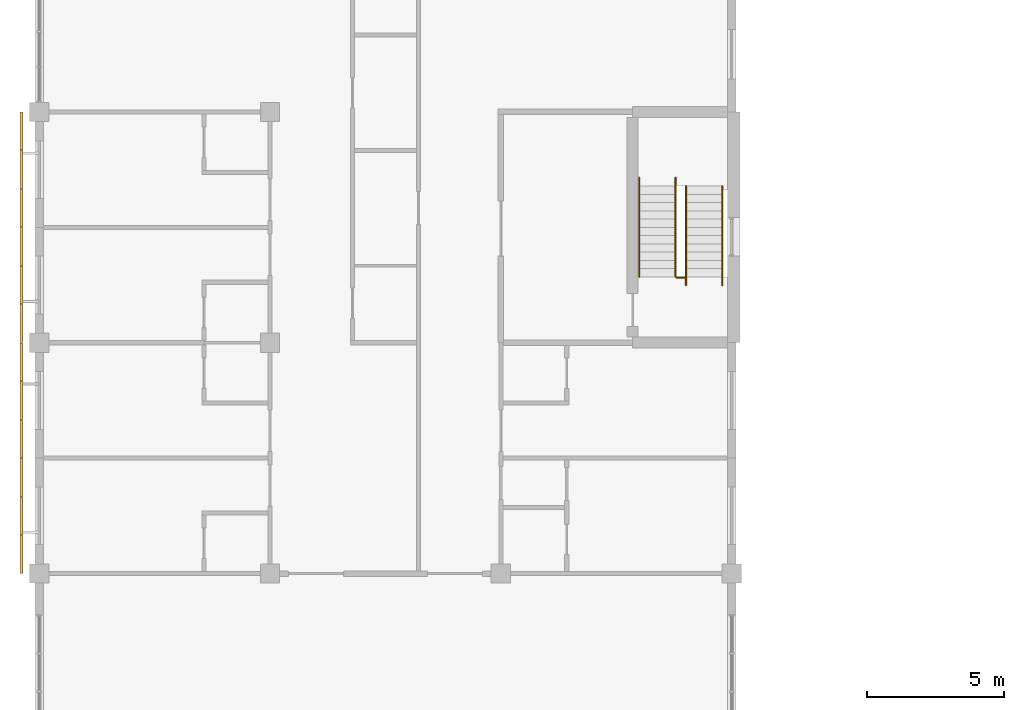
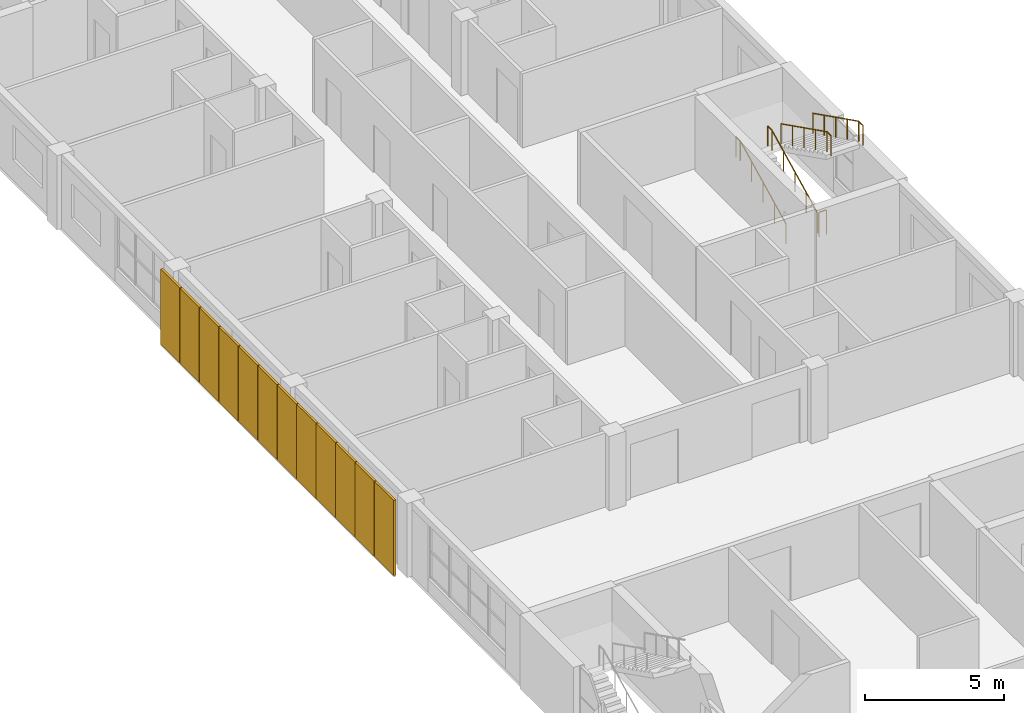
# One storey, part 43 of 46: 12 shading devices, 5 railings.
"""IFC4 building model written with IfcOpenShell, lengths in metres."""

from ifc_helpers import new_model, si_unit, direction, frame, origin, origin_2d, place, context, subcontext, project, spatial, rectangle, circle, extrude, material, layer, layer_set, type_object, element, save


model = new_model("IFC4")

# Units and contexts
model_context = context("Model", 3, precision=1e-05, world=origin(), true_north=direction((0.0, 1.0)))
body_context = subcontext(model_context, "Body", "Model", "MODEL_VIEW")
ifc_project = project(units=[si_unit("LENGTHUNIT", "METRE"), si_unit("AREAUNIT", "SQUARE_METRE"), si_unit("VOLUMEUNIT", "CUBIC_METRE"), si_unit("PLANEANGLEUNIT", "RADIAN"), si_unit("MASSUNIT", "GRAM", prefix="KILO")], contexts=[model_context])

# Site, building, storey
site_placement = place(None, origin())
site = spatial("IfcSite", under=ifc_project, at=site_placement, CompositionType="ELEMENT")
building_placement = place(site_placement, origin())
building = spatial("IfcBuilding", under=site, at=building_placement, Name="Yavir Park General Hospital", CompositionType="ELEMENT")
storey_placement = place(building_placement, frame((0.0, 0.0, 18.89990234375)))
storey = spatial("IfcBuildingStorey", under=building, at=storey_placement, Name="L04", CompositionType="ELEMENT", Elevation=18.89990234375)

# Shading devices
ifc_material_1 = material(Name="Precast concrete perforated block panel", Category="concrete")
ifc_layer = layer(ifc_material_1, 0.092041015625)
ifc_layer_set = layer_set([ifc_layer], Name="Precast concrete perforated block panel")
shading_device_type = type_object("IfcShadingDeviceType", Name="Precast breeze-block screen panel 1380 x 3300 x 92", PredefinedType="JALOUSIE", material=ifc_layer_set)
for number, where, z_axis, x_axis, name in (
    (1, (-0.64990234375, 34.300048828125, 0.0), (0.0, 0.0, 1.0), (1.0, 0.0, 0.0), "Screen panel W5.2.1"),
    (2, (-0.64990234375, 35.699951171875, 0.0), (0.0, 0.0, 1.0), (1.0, 0.0, 0.0), "Screen panel W5.2.2"),
    (3, (-0.64990234375, 37.10009765625, 0.0), (0.0, 0.0, 1.0), (1.0, 0.0, 0.0), "Screen panel W5.2.3"),
    (4, (-0.64990234375, 38.5, 0.0), (0.0, 0.0, 1.0), (1.0, 0.0, 0.0), "Screen panel W5.2.4"),
    (5, (-0.64990234375, 39.89990234375, 0.0), (0.0, 0.0, 1.0), (1.0, 0.0, 0.0), "Screen panel W5.2.5"),
    (6, (-0.64990234375, 41.300048828125, 0.0), (0.0, 0.0, 1.0), (1.0, 0.0, 0.0), "Screen panel W5.2.6"),
    (7, (-0.64990234375, 42.699951171875, 0.0), (0.0, 0.0, 1.0), (1.0, 0.0, 0.0), "Screen panel W6.2.1"),
    (8, (-0.64990234375, 44.10009765625, 0.0), (0.0, 0.0, 1.0), (1.0, 0.0, 0.0), "Screen panel W6.2.2"),
    (9, (-0.64990234375, 45.5, 0.0), (0.0, 0.0, 1.0), (1.0, 0.0, 0.0), "Screen panel W6.2.3"),
    (10, (-0.64990234375, 46.89990234375, 0.0), (0.0, 0.0, 1.0), (1.0, 0.0, 0.0), "Screen panel W6.2.4"),
    (11, (-0.64990234375, 48.300048828125, 0.0), (0.0, 0.0, 1.0), (1.0, 0.0, 0.0), "Screen panel W6.2.5"),
    (12, (-0.64990234375, 49.699951171875, 0.0), (0.0, 0.0, 1.0), (1.0, 0.0, 0.0), "Screen panel W6.2.6"),
):
    element("IfcShadingDevice", number, at=place(storey_placement, frame(where, z_axis=z_axis, x_axis=x_axis)), inside=storey, type_object=shading_device_type, Name=name, PredefinedType="JALOUSIE", context=body_context, shape_type="SweptSolid", body=[
        extrude(rectangle(XDim=0.092041015625, YDim=1.3798828125, at=origin_2d()), origin(), (0.0, 0.0, 1.0), 3.300048828125),
    ])

# Railings
ifc_material_2 = material(Name="Steel balustrade with infill rods", Category="steel")
railing_type_1 = type_object("IfcRailingType", Name="Stair guard, steel balustrade 1100 mm", PredefinedType="GUARDRAIL", material=ifc_material_2)
railing_placement = place(storey_placement, frame((23.199951171875, 44.3701171875, 0.0)))
element("IfcRailing", 13, at=railing_placement, inside=storey, type_object=railing_type_1, Name="Stair well guard SW1 L04", PredefinedType="GUARDRAIL", context=body_context, shape_type="SweptSolid", body=[
    extrude(circle(Radius=0.02392578125, at=origin_2d()), frame((0.0, 0.0, 1.076171875), z_axis=(1.0, 0.0, 0.0), x_axis=(0.0, 1.0, 0.0)), (0.0, 0.0, 1.0), 0.300048828125),
    extrude(circle(Radius=0.02099609375, at=origin_2d()), origin(), (0.0, 0.0, 1.0), 1.052001953125),
    extrude(circle(Radius=0.02099609375, at=origin_2d()), frame((0.300048828125, 0.0, 0.0)), (0.0, 0.0, 1.0), 1.052001953125),
])
ifc_material_3 = material(Name="Stainless steel tube 48 mm", Category="steel")
railing_type_2 = type_object("IfcRailingType", Name="Stair handrail, steel tube, 900 mm above the nosings", PredefinedType="HANDRAIL", material=ifc_material_3)
for number, where, name in (
    (14, (21.840087890625, 44.39990234375, 0.150146484375), "Handrail SW1 L04 1"),
    (15, (23.159912109375, 44.39990234375, 0.150146484375), "Handrail SW1 L04 2"),
):
    element("IfcRailing", number, at=place(storey_placement, frame(where)), inside=storey, type_object=railing_type_2, Name=name, PredefinedType="HANDRAIL", context=body_context, shape_type="SweptSolid", body=[
        extrude(circle(Radius=0.02392578125, at=origin_2d()), frame((0.0, 0.0, 0.8759765625), z_axis=(0.0, 0.894440424912, 0.447187126696), x_axis=(-1.0, 0.0, 0.0)), (0.0, 0.0, 1.0), 3.689453125),
        extrude(circle(Radius=0.02392578125, at=origin_2d()), frame((0.0, 3.300048828125, 2.52587890625), z_axis=(0.0, 1.0, 0.0), x_axis=(-1.0, 0.0, 0.0)), (0.0, 0.0, 1.0), 0.300048828125),
        extrude(circle(Radius=0.02099609375, at=origin_2d()), origin(), (0.0, 0.0, 1.0), 0.851806640625),
        extrude(circle(Radius=0.02099609375, at=origin_2d()), frame((0.0, 0.824951171875, 0.41259765625)), (0.0, 0.0, 1.0), 0.851806640625),
        extrude(circle(Radius=0.02099609375, at=origin_2d()), frame((0.0, 1.64990234375, 0.824951171875)), (0.0, 0.0, 1.0), 0.851806640625),
        extrude(circle(Radius=0.02099609375, at=origin_2d()), frame((0.0, 2.47509765625, 1.2373046875)), (0.0, 0.0, 1.0), 0.851806640625),
        extrude(circle(Radius=0.02099609375, at=origin_2d()), frame((0.0, 3.300048828125, 1.64990234375)), (0.0, 0.0, 1.0), 0.851806640625),
        extrude(circle(Radius=0.02099609375, at=origin_2d()), frame((0.0, 3.60009765625, 1.64990234375)), (0.0, 0.0, 1.0), 0.851806640625),
    ])
for number, where, name in (
    (16, (24.860107421875, 47.699951171875, 1.9501953125), "Handrail SW1 L04 3"),
    (17, (23.5400390625, 47.699951171875, 1.9501953125), "Handrail SW1 L04 4"),
):
    element("IfcRailing", number, at=place(storey_placement, frame(where)), inside=storey, type_object=railing_type_2, Name=name, PredefinedType="HANDRAIL", context=body_context, shape_type="SweptSolid", body=[
        extrude(circle(Radius=0.02392578125, at=origin_2d()), frame((0.0, 0.0, 0.8759765625), z_axis=(0.0, -0.894440424912, 0.447187126696), x_axis=(1.0, 0.0, 0.0)), (0.0, 0.0, 1.0), 3.689453125),
        extrude(circle(Radius=0.02392578125, at=origin_2d()), frame((0.0, -3.300048828125, 2.52587890625), z_axis=(0.0, -1.0, 0.0), x_axis=(1.0, 0.0, 0.0)), (0.0, 0.0, 1.0), 0.2998046875),
        extrude(circle(Radius=0.02099609375, at=origin_2d()), origin(), (0.0, 0.0, 1.0), 0.851806640625),
        extrude(circle(Radius=0.02099609375, at=origin_2d()), frame((0.0, -0.824951171875, 0.41259765625)), (0.0, 0.0, 1.0), 0.851806640625),
        extrude(circle(Radius=0.02099609375, at=origin_2d()), frame((0.0, -1.64990234375, 0.824951171875)), (0.0, 0.0, 1.0), 0.851806640625),
        extrude(circle(Radius=0.02099609375, at=origin_2d()), frame((0.0, -2.47509765625, 1.2373046875)), (0.0, 0.0, 1.0), 0.851806640625),
        extrude(circle(Radius=0.02099609375, at=origin_2d()), frame((0.0, -3.300048828125, 1.64990234375)), (0.0, 0.0, 1.0), 0.851806640625),
        extrude(circle(Radius=0.02099609375, at=origin_2d()), frame((0.0, -3.599853515625, 1.64990234375)), (0.0, 0.0, 1.0), 0.851806640625),
    ])

save(model, "model.ifc")
